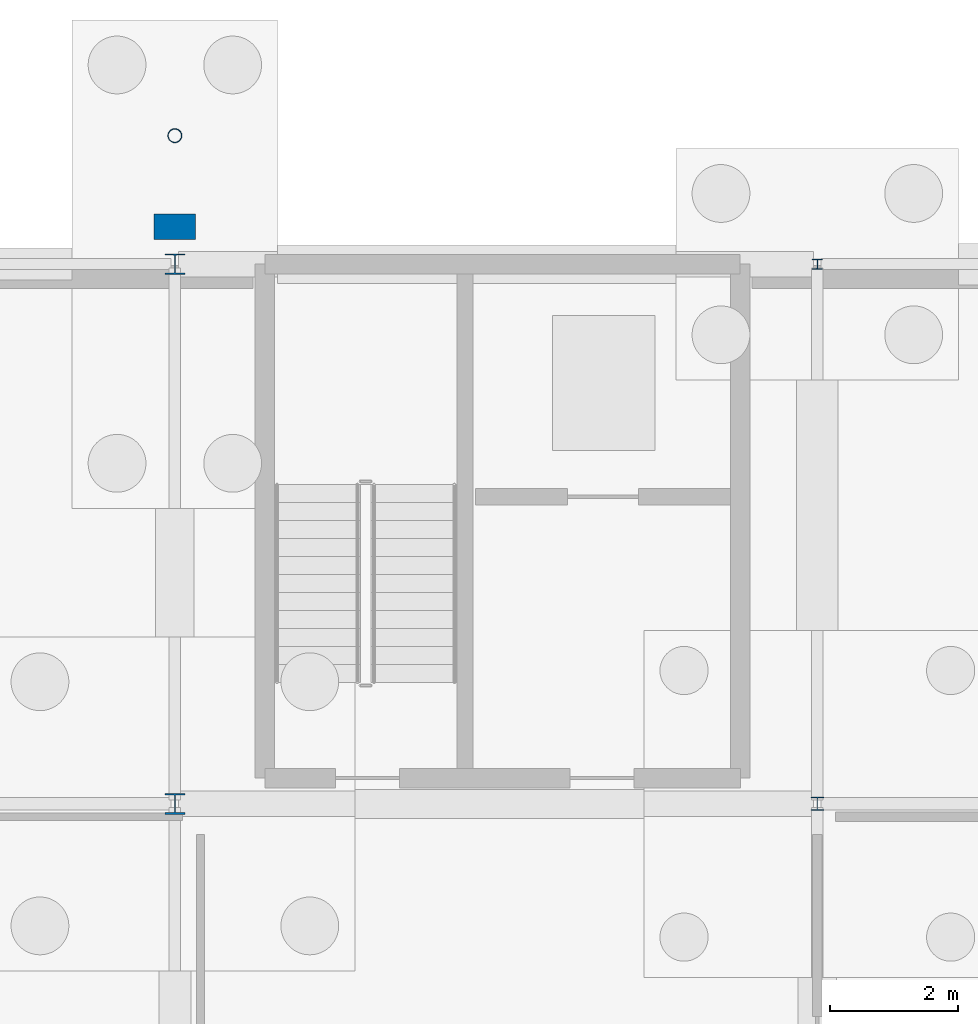
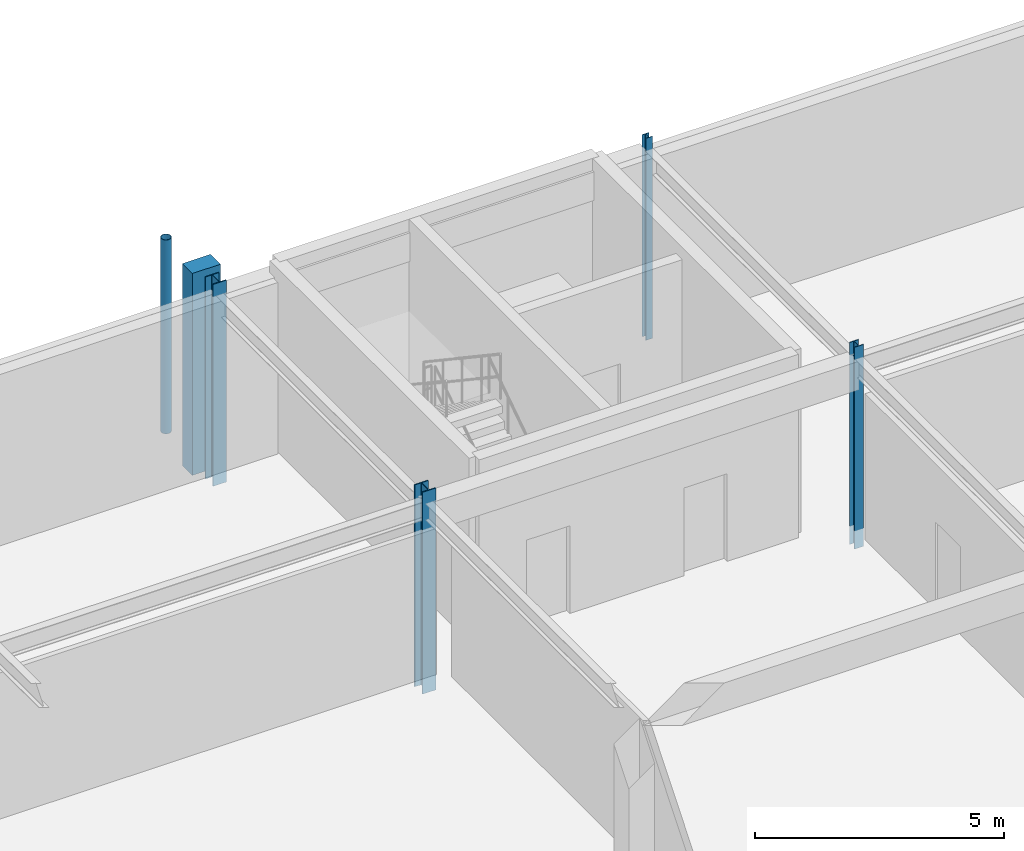
# One storey, part 39 of 75: 6 columns.
"""IFC4 building model written with IfcOpenShell, lengths in metres."""

import ifcopenshell
import ifcopenshell.guid

model = None  # the IFC model being written
_history = None  # IfcOwnerHistory: only IFC2X3 demands one
_inside = {}  # id of a spatial element -> (the spatial element, [elements in it])
_under = {}  # id of a project, library or spatial element -> (it, [spatial elements below it])
_declared = {}  # id of a project -> (the project, [libraries it declares])
_typed = {}  # id of a type object -> (the type object, [elements of that type])
_made_of = {}  # id of a material, layer set ... -> (it, [elements and type objects made of it])


def new_model(schema):
    """Start an empty IFC model of exactly this schema.

    Asked for "IFC4X3", IfcOpenShell would pick the latest addendum, in which some entities
    have other attributes; the version numbers below select the first issue.
    IFC2X3 requires an IfcOwnerHistory on every rooted entity: one is made here for all.
    """
    global model, _history
    if schema == "IFC4X3":
        model = ifcopenshell.file(schema_version=(4, 3, 0, 0))
    else:
        model = ifcopenshell.file(schema=schema)
    _inside.clear()
    _under.clear()
    _declared.clear()
    _typed.clear()
    _made_of.clear()
    _history = None
    if model.schema == "IFC2X3":
        org = make("IfcOrganization", Name="unknown")
        user = make(
            "IfcPersonAndOrganization",
            ThePerson=make("IfcPerson", FamilyName="unknown"),
            TheOrganization=org,
        )
        app = make(
            "IfcApplication",
            ApplicationDeveloper=org,
            Version="unknown",
            ApplicationFullName="unknown",
            ApplicationIdentifier="unknown",
        )
        _history = make(
            "IfcOwnerHistory",
            OwningUser=user,
            OwningApplication=app,
            ChangeAction="ADDED",
            CreationDate=0,
        )
    return model


def make(cls, **values):
    """One entity of the class cls with the attributes given. An attribute that is None is left unset."""
    return model.create_entity(
        cls, **{name: value for name, value in values.items() if value is not None}
    )


def rooted(cls, **values):
    """An entity with a GlobalId (a new one), such as an element, a storey or a relation."""
    return make(cls, GlobalId=ifcopenshell.guid.new(), OwnerHistory=_history, **values)


def si_unit(unit_type, name, prefix=None):
    """IfcSIUnit, for example si_unit("LENGTHUNIT", "METRE", prefix="MILLI")."""
    return make("IfcSIUnit", UnitType=unit_type, Prefix=prefix, Name=name)


def derived_unit(unit_type, elements):
    """IfcDerivedUnit: a product of units, each with its exponent."""
    return make(
        "IfcDerivedUnit",
        Elements=[
            make("IfcDerivedUnitElement", Unit=unit, Exponent=power)
            for unit, power in elements
        ],
        UnitType=unit_type,
    )


def assignment(units):
    """IfcUnitAssignment: the units of a project."""
    return None if units is None else make("IfcUnitAssignment", Units=units)


def point(xyz):
    """IfcCartesianPoint."""
    return None if xyz is None else make("IfcCartesianPoint", Coordinates=xyz)


def direction(xyz):
    """IfcDirection."""
    return None if xyz is None else make("IfcDirection", DirectionRatios=xyz)


def frame(location, z_axis=None, x_axis=None):
    """IfcAxis2Placement3D, a coordinate frame: its origin and axes. An axis left out is left unset."""
    return make(
        "IfcAxis2Placement3D",
        Location=point(location),
        Axis=direction(z_axis),
        RefDirection=direction(x_axis),
    )


def frame_2d(location, x_axis=None):
    """IfcAxis2Placement2D, a coordinate frame in the plane: its origin and x axis."""
    return make(
        "IfcAxis2Placement2D", Location=point(location), RefDirection=direction(x_axis)
    )


def origin():
    """The frame at (0, 0, 0) with its axes left unset."""
    return frame((0.0, 0.0, 0.0))


def origin_2d_with_axis():
    """The frame at (0, 0) in the plane with the x axis (1, 0) written out."""
    return frame_2d((0.0, 0.0), x_axis=(1.0, 0.0))


def place(relative_to, where):
    """IfcLocalPlacement: puts the frame where relative to a parent placement (None: the world)."""
    return make(
        "IfcLocalPlacement", PlacementRelTo=relative_to, RelativePlacement=where
    )


def context(
    kind, dimensions, precision=None, world=None, true_north=None, identifier=None
):
    """IfcGeometricRepresentationContext, for example the 3D "Model" context."""
    return make(
        "IfcGeometricRepresentationContext",
        ContextIdentifier=identifier,
        ContextType=kind,
        CoordinateSpaceDimension=dimensions,
        Precision=precision,
        WorldCoordinateSystem=world,
        TrueNorth=true_north,
    )


def subcontext(parent, identifier, kind, view, scale=None):
    """IfcGeometricRepresentationSubContext, for example "Body" below "Model"."""
    return make(
        "IfcGeometricRepresentationSubContext",
        ContextIdentifier=identifier,
        ContextType=kind,
        ParentContext=parent,
        TargetScale=scale,
        TargetView=view,
    )


def project(units=None, contexts=None):
    """IfcProject with its units and contexts."""
    return rooted(
        "IfcProject",
        Name="project",
        RepresentationContexts=contexts,
        UnitsInContext=assignment(units),
    )


def spatial(cls, under=None, at=None, **own):
    """A site, building, storey or space (cls), placed at a placement, below another one or the project."""
    s = rooted(cls, ObjectPlacement=at, **own)
    if under is not None:
        _under.setdefault(under.id(), (under, []))[1].append(s)
    return s


def profile(cls, at=None, kind="AREA", **sizes):
    """A parametric profile (cls). Its sizes go by their IFC names, for example OverallWidth=200.0."""
    return make(cls, ProfileType=kind, Position=at, **sizes)


def rectangle(**sizes):
    """IfcRectangleProfileDef."""
    return profile("IfcRectangleProfileDef", **sizes)


def hollow_circle(**sizes):
    """IfcCircleHollowProfileDef."""
    return profile("IfcCircleHollowProfileDef", **sizes)


def i_section(**sizes):
    """IfcIShapeProfileDef."""
    return profile("IfcIShapeProfileDef", **sizes)


def extrude(swept, where, along, depth):
    """IfcExtrudedAreaSolid: the profile swept, set in the frame where, extruded along a direction by depth."""
    return make(
        "IfcExtrudedAreaSolid",
        SweptArea=swept,
        Position=where,
        ExtrudedDirection=direction(along),
        Depth=depth,
    )


def shape(context_of_items, identifier, shape_type, items):
    """IfcShapeRepresentation: the items that make up one representation, for example the "Body"."""
    return make(
        "IfcShapeRepresentation",
        ContextOfItems=context_of_items,
        RepresentationIdentifier=identifier,
        RepresentationType=shape_type,
        Items=items,
    )


def material(Name=None, Category=None):
    """IfcMaterial."""
    return make("IfcMaterial", Name=Name, Category=Category)


def material_profile(
    of_material, cross_section, Name=None, Category=None, Priority=None
):
    """IfcMaterialProfile: a cross section and its material."""
    return make(
        "IfcMaterialProfile",
        Name=Name,
        Material=of_material,
        Profile=cross_section,
        Priority=Priority,
        Category=Category,
    )


def profile_set(profiles, Name=None, composite=None):
    """IfcMaterialProfileSet."""
    return make(
        "IfcMaterialProfileSet",
        Name=Name,
        MaterialProfiles=profiles,
        CompositeProfile=composite,
    )


def made_of(thing, what):
    """Note that an element or type object is made of a material, layer set ...; save() writes the relation."""
    if what is not None:
        _made_of.setdefault(what.id(), (what, []))[1].append(thing)
    return thing


def type_object(cls, material=None, **own):
    """A type object (cls), such as IfcWallType, which elements share."""
    return made_of(rooted(cls, **own), material)


def element(
    cls,
    number,
    at=None,
    inside=None,
    cuts=None,
    type_object=None,
    material=None,
    context=None,
    identifier="Body",
    shape_type=None,
    held_by="IfcProductDefinitionShape",
    body=None,
    shapes=None,
    **own,
):
    """One element of the class cls, such as IfcWall. Its Tag is "e" and its number.

    at: its placement. inside: the storey or other place that contains it. cuts: it is an
    opening in that element (IfcRelVoidsElement). A single representation is given by context,
    identifier, shape_type and body (its items); several are given by shapes. held_by: the class
    of the entity that holds the representations. save() writes the other relations.
    """
    e = rooted(cls, Tag="e%d" % number, ObjectPlacement=at, **own)
    if body is not None:
        shapes = [shape(context, identifier, shape_type, body)]
    if shapes is not None:
        e.Representation = make(held_by, Representations=shapes)
    if inside is not None:
        _inside.setdefault(inside.id(), (inside, []))[1].append(e)
    if cuts is not None:
        rooted(
            "IfcRelVoidsElement", RelatingBuildingElement=cuts, RelatedOpeningElement=e
        )
    if type_object is not None:
        _typed.setdefault(type_object.id(), (type_object, []))[1].append(e)
    return made_of(e, material)


def aggregate(whole, parts):
    """IfcRelAggregates: a whole, such as a stair, and the parts it consists of."""
    return rooted("IfcRelAggregates", RelatingObject=whole, RelatedObjects=parts)


def save(model, path):
    """Write the relations noted so far, then the file.

    IfcRelAggregates (storeys below a building ...), IfcRelContainedInSpatialStructure (elements
    in a storey), IfcRelDefinesByType, IfcRelAssociatesMaterial and IfcRelDeclares: one each for
    every whole, place, type object, material and project.
    """
    for whole, parts in _under.values():
        aggregate(whole, parts)
    for where, things in _inside.values():
        rooted(
            "IfcRelContainedInSpatialStructure",
            RelatedElements=things,
            RelatingStructure=where,
        )
    for kind, things in _typed.values():
        rooted("IfcRelDefinesByType", RelatedObjects=things, RelatingType=kind)
    for what, things in _made_of.values():
        rooted("IfcRelAssociatesMaterial", RelatedObjects=things, RelatingMaterial=what)
    for by, libraries in _declared.values():
        rooted("IfcRelDeclares", RelatingContext=by, RelatedDefinitions=libraries)
    model.write(path)


model = new_model("IFC4")

# Units and contexts
model_context = context("Model", 3, precision=1e-05, world=origin(), true_north=direction((0.0, 1.0)))
body_context = subcontext(model_context, "Body", "Model", "MODEL_VIEW")
ifc_project = project(units=[si_unit("LENGTHUNIT", "METRE"), si_unit("AREAUNIT", "SQUARE_METRE"), si_unit("VOLUMEUNIT", "CUBIC_METRE"), si_unit("PLANEANGLEUNIT", "RADIAN"), si_unit("MASSUNIT", "GRAM", prefix="KILO"), derived_unit("THERMALTRANSMITTANCEUNIT", [(si_unit("POWERUNIT", "WATT"), 1), (si_unit("LENGTHUNIT", "METRE"), -2), (si_unit("THERMODYNAMICTEMPERATUREUNIT", "KELVIN"), -1)])], contexts=[model_context])

# Site, building, storey
site_placement = place(None, origin())
site = spatial("IfcSite", under=ifc_project, at=site_placement, CompositionType="ELEMENT")
building_placement = place(site_placement, origin())
building = spatial("IfcBuilding", under=site, at=building_placement, Name="Cinnabar Yard Market Hall", CompositionType="ELEMENT")
storey_placement = place(building_placement, frame((0.0, 0.0, -4.5)))
storey = spatial("IfcBuildingStorey", under=building, at=storey_placement, Name="B1", CompositionType="ELEMENT", Elevation=-4.5)

# Columns
ifc_material_1 = material(Name="Spotted-gum glulam-clad steel Grade 350 (350 MPa)", Category="steel")
ifc_material_profile_1 = material_profile(ifc_material_1, hollow_circle(Radius=0.109619140625, WallThickness=0.00830078125, at=origin_2d_with_axis()), Name="219.1x8.2CHS")
ifc_profile_set_1 = profile_set([ifc_material_profile_1], Name="Spotted-gum glulam-clad steel Grade 350 (350 MPa)")
column_type_1 = type_object("IfcColumnType", Name="COL-C05", PredefinedType="COLUMN", material=ifc_profile_set_1)
column_1_placement = place(storey_placement, frame((126.0, 140.0, -0.449951171875), z_axis=(0.0, 0.0, 1.0), x_axis=(1.0, 0.0, 0.0)))
element("IfcColumn", 1, at=column_1_placement, inside=storey, type_object=column_type_1, Name="Passage Pier V5C-3 B1", PredefinedType="COLUMN", context=body_context, shape_type="SweptSolid", body=[
    extrude(hollow_circle(Radius=0.109619140625, WallThickness=0.00830078125, at=origin_2d_with_axis()), origin(), (0.0, 0.0, 1.0), 4.75),
])
ifc_material_2 = material(Name="Steel Grade 350 (350 MPa)", Category="steel")
ifc_material_profile_2 = material_profile(ifc_material_2, i_section(OverallWidth=0.311279296875, OverallDepth=0.3271484375, WebThickness=0.015625, FlangeThickness=0.02490234375, FilletRadius=0.0166015625, at=origin_2d_with_axis()), Name="310UC158")
ifc_profile_set_2 = profile_set([ifc_material_profile_2], Name="Steel Grade 350 (350 MPa)")
column_type_2 = type_object("IfcColumnType", Name="COL-C06", PredefinedType="COLUMN", material=ifc_profile_set_2)
column_2_placement = place(storey_placement, frame((126.0, 129.60009765625, -0.449951171875), z_axis=(0.0, 0.0, 1.0), x_axis=(1.0, 0.0, 0.0)))
element("IfcColumn", 2, at=column_2_placement, inside=storey, type_object=column_type_2, Name="Wing Column V3-07-04 B1", PredefinedType="COLUMN", context=body_context, shape_type="SweptSolid", body=[
    extrude(i_section(OverallWidth=0.311279296875, OverallDepth=0.3271484375, WebThickness=0.015625, FlangeThickness=0.02490234375, FilletRadius=0.0166015625, at=origin_2d_with_axis()), origin(), (0.0, 0.0, 1.0), 4.949951171875),
])
ifc_material_profile_3 = material_profile(ifc_material_2, i_section(OverallWidth=0.30908203125, OverallDepth=0.320556640625, WebThickness=0.013916015625, FlangeThickness=0.021728515625, FilletRadius=0.0166015625, at=origin_2d_with_axis()), Name="310UC137")
ifc_profile_set_3 = profile_set([ifc_material_profile_3], Name="Steel Grade 350 (350 MPa)")
column_type_3 = type_object("IfcColumnType", Name="COL-C07", PredefinedType="COLUMN", material=ifc_profile_set_3)
column_3_placement = place(storey_placement, frame((126.0, 138.0, -0.449951171875), z_axis=(0.0, 0.0, 1.0), x_axis=(1.0, 0.0, 0.0)))
element("IfcColumn", 3, at=column_3_placement, inside=storey, type_object=column_type_3, Name="Wing Column V3-07-05 B1", PredefinedType="COLUMN", context=body_context, shape_type="SweptSolid", body=[
    extrude(i_section(OverallWidth=0.30908203125, OverallDepth=0.320556640625, WebThickness=0.013916015625, FlangeThickness=0.021728515625, FilletRadius=0.0166015625, at=origin_2d_with_axis()), origin(), (0.0, 0.0, 1.0), 4.949951171875),
])
ifc_material_3 = material(Name="Steel Grade 300 (300 MPa)", Category="steel")
ifc_material_profile_4 = material_profile(ifc_material_3, i_section(OverallWidth=0.205078125, OverallDepth=0.209716796875, WebThickness=0.00927734375, FlangeThickness=0.01416015625, FilletRadius=0.011474609375, at=origin_2d_with_axis()), Name="200UC59.5")
ifc_profile_set_4 = profile_set([ifc_material_profile_4], Name="Steel Grade 300 (300 MPa)")
column_type_4 = type_object("IfcColumnType", Name="COL-C17", PredefinedType="COLUMN", material=ifc_profile_set_4)
column_4_placement = place(storey_placement, frame((136.0, 129.60009765625, -0.449951171875), z_axis=(0.0, 0.0, 1.0), x_axis=(1.0, 0.0, 0.0)))
element("IfcColumn", 4, at=column_4_placement, inside=storey, type_object=column_type_4, Name="Wing Column V3-08-04 B1", PredefinedType="COLUMN", context=body_context, shape_type="SweptSolid", body=[
    extrude(i_section(OverallWidth=0.205078125, OverallDepth=0.209716796875, WebThickness=0.00927734375, FlangeThickness=0.01416015625, FilletRadius=0.011474609375, at=origin_2d_with_axis()), origin(), (0.0, 0.0, 1.0), 4.949951171875),
])
ifc_material_profile_5 = material_profile(ifc_material_3, i_section(OverallWidth=0.15283203125, OverallDepth=0.15771484375, WebThickness=0.006591796875, FlangeThickness=0.009521484375, FilletRadius=0.0087890625, at=origin_2d_with_axis()), Name="150UC30.0")
ifc_profile_set_5 = profile_set([ifc_material_profile_5], Name="Steel Grade 300 (300 MPa)")
column_type_5 = type_object("IfcColumnType", Name="COL-C18", PredefinedType="COLUMN", material=ifc_profile_set_5)
column_5_placement = place(storey_placement, frame((136.0, 138.0, -0.449951171875), z_axis=(0.0, 0.0, 1.0), x_axis=(1.0, 0.0, 0.0)))
element("IfcColumn", 5, at=column_5_placement, inside=storey, type_object=column_type_5, Name="Wing Column V3-08-05 B1", PredefinedType="COLUMN", context=body_context, shape_type="SweptSolid", body=[
    extrude(i_section(OverallWidth=0.15283203125, OverallDepth=0.15771484375, WebThickness=0.006591796875, FlangeThickness=0.009521484375, FilletRadius=0.0087890625, at=origin_2d_with_axis()), origin(), (0.0, 0.0, 1.0), 4.949951171875),
])
ifc_material_4 = material(Name="Concrete 40 MPa", Category="concrete")
ifc_material_profile_6 = material_profile(ifc_material_4, rectangle(XDim=0.64990234375, YDim=0.39990234375, at=origin_2d_with_axis()), Name="RC-650x400")
ifc_profile_set_6 = profile_set([ifc_material_profile_6], Name="Concrete 40 MPa")
column_type_6 = type_object("IfcColumnType", Name="COL-PIL2", PredefinedType="PILASTER", material=ifc_profile_set_6)
column_6_placement = place(storey_placement, frame((126.0, 138.580078125, -0.449951171875), z_axis=(0.0, 0.0, 1.0), x_axis=(1.0, 0.0, 0.0)))
element("IfcColumn", 6, at=column_6_placement, inside=storey, type_object=column_type_6, Name="Pilaster Pier 10", PredefinedType="PILASTER", context=body_context, shape_type="SweptSolid", body=[
    extrude(rectangle(XDim=0.64990234375, YDim=0.39990234375, at=origin_2d_with_axis()), origin(), (0.0, 0.0, 1.0), 4.949951171875),
])

save(model, "model.ifc")
